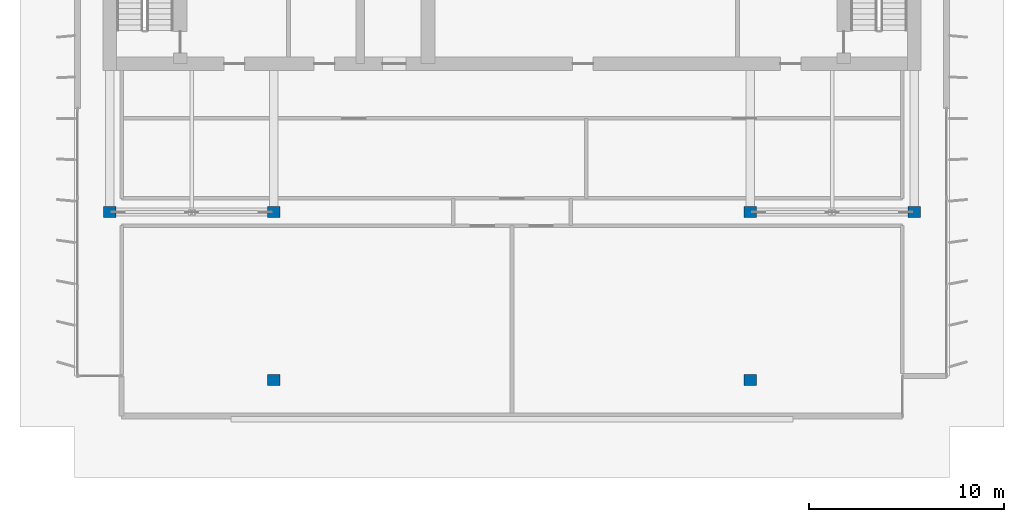
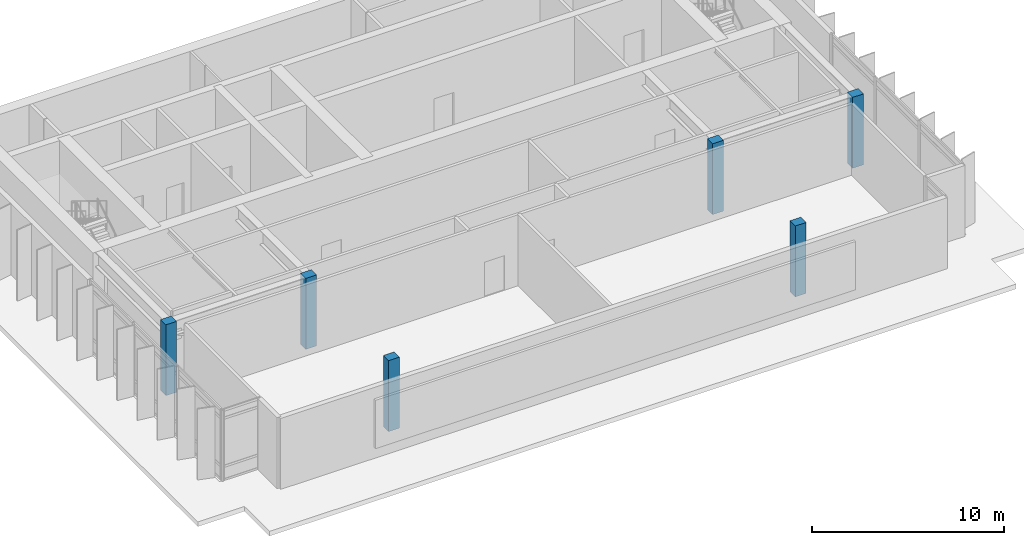
# One storey, part 1 of 10: 6 columns.
"""IFC4 building model written with IfcOpenShell, lengths in metres."""

from ifc_helpers import new_model, si_unit, direction, frame, origin, origin_2d, place, context, subcontext, project, spatial, rectangle, extrude, material, material_profile, profile_set, type_object, element, save


model = new_model("IFC4")

# Units and contexts
model_context = context("Model", 3, precision=1e-05, world=origin(), true_north=direction((0.0, 1.0)))
body_context = subcontext(model_context, "Body", "Model", "MODEL_VIEW")
ifc_project = project(units=[si_unit("LENGTHUNIT", "METRE"), si_unit("AREAUNIT", "SQUARE_METRE"), si_unit("VOLUMEUNIT", "CUBIC_METRE"), si_unit("PLANEANGLEUNIT", "RADIAN"), si_unit("MASSUNIT", "GRAM", prefix="KILO")], contexts=[model_context])

# Site, building, storey
site_placement = place(None, origin())
site = spatial("IfcSite", under=ifc_project, at=site_placement, CompositionType="ELEMENT")
building_placement = place(site_placement, origin())
building = spatial("IfcBuilding", under=site, at=building_placement, Name="Caelmar Bay Residences", CompositionType="ELEMENT")
storey_placement = place(building_placement, frame((0.0, 0.0, 295.60009765625)))
storey = spatial("IfcBuildingStorey", under=building, at=storey_placement, Name="L81", CompositionType="ELEMENT", Elevation=295.60009765625)

# Columns
ifc_material = material(Name="Concrete f'c 55 MPa (8,000 psi)", Category="concrete")
ifc_material_profile = material_profile(ifc_material, rectangle(XDim=0.64990234375, YDim=0.550048828125, at=origin_2d()), Name="RC-COL-650X550")
ifc_profile_set = profile_set([ifc_material_profile], Name="Concrete f'c 55 MPa (8,000 psi)")
column_type = type_object("IfcColumnType", Name="COL-RC-650X550", PredefinedType="COLUMN", material=ifc_profile_set)
for number, where, z_axis, x_axis, name in (
    (1, (26.699951171875, 20.800048828125, 0.0), (0.0, 0.0, 1.0), (1.0, 0.0, 0.0), "L81 Column (26.70,20.80)"),
    (2, (51.10009765625, 20.800048828125, 0.0), (0.0, 0.0, 1.0), (1.0, 0.0, 0.0), "L81 Column (51.10,20.80)"),
    (3, (18.300048828125, 29.39990234375, 0.0), (0.0, 0.0, 1.0), (1.0, 0.0, 0.0), "L81 Column (18.30,29.40)"),
    (4, (26.699951171875, 29.39990234375, 0.0), (0.0, 0.0, 1.0), (1.0, 0.0, 0.0), "L81 Column (26.70,29.40)"),
    (5, (51.10009765625, 29.39990234375, 0.0), (0.0, 0.0, 1.0), (1.0, 0.0, 0.0), "L81 Column (51.10,29.40)"),
    (6, (59.5, 29.39990234375, 0.0), (0.0, 0.0, 1.0), (1.0, 0.0, 0.0), "L81 Column (59.50,29.40)"),
):
    element("IfcColumn", number, at=place(storey_placement, frame(where, z_axis=z_axis, x_axis=x_axis)), inside=storey, type_object=column_type, Name=name, PredefinedType="COLUMN", context=body_context, shape_type="SweptSolid", body=[
        extrude(rectangle(XDim=0.64990234375, YDim=0.550048828125, at=origin_2d()), origin(), (0.0, 0.0, 1.0), 4.5),
    ])

save(model, "model.ifc")
